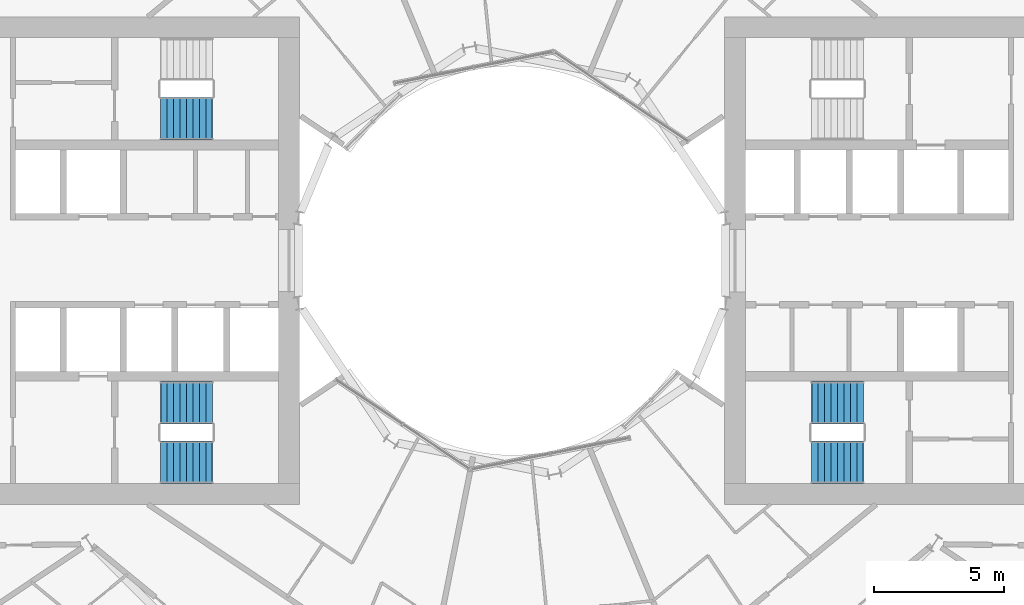
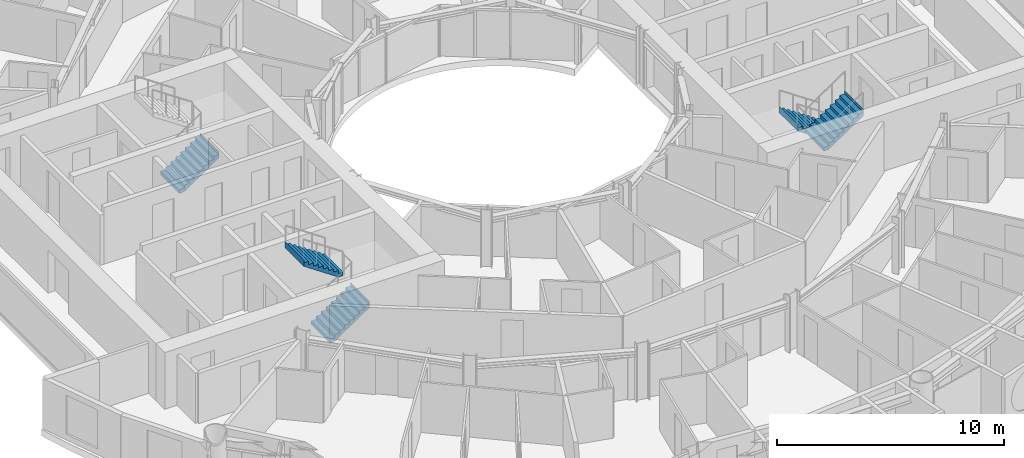
# One storey, part 23 of 26: 5 stair flights, 3 elements without a shape of their own.
"""IFC4 building model written with IfcOpenShell, lengths in metres."""

import ifcopenshell
import ifcopenshell.guid

model = None  # the IFC model being written
_history = None  # IfcOwnerHistory: only IFC2X3 demands one
_inside = {}  # id of a spatial element -> (the spatial element, [elements in it])
_under = {}  # id of a project, library or spatial element -> (it, [spatial elements below it])
_declared = {}  # id of a project -> (the project, [libraries it declares])
_typed = {}  # id of a type object -> (the type object, [elements of that type])
_made_of = {}  # id of a material, layer set ... -> (it, [elements and type objects made of it])


def new_model(schema):
    """Start an empty IFC model of exactly this schema.

    Asked for "IFC4X3", IfcOpenShell would pick the latest addendum, in which some entities
    have other attributes; the version numbers below select the first issue.
    IFC2X3 requires an IfcOwnerHistory on every rooted entity: one is made here for all.
    """
    global model, _history
    if schema == "IFC4X3":
        model = ifcopenshell.file(schema_version=(4, 3, 0, 0))
    else:
        model = ifcopenshell.file(schema=schema)
    _inside.clear()
    _under.clear()
    _declared.clear()
    _typed.clear()
    _made_of.clear()
    _history = None
    if model.schema == "IFC2X3":
        org = make("IfcOrganization", Name="unknown")
        user = make(
            "IfcPersonAndOrganization",
            ThePerson=make("IfcPerson", FamilyName="unknown"),
            TheOrganization=org,
        )
        app = make(
            "IfcApplication",
            ApplicationDeveloper=org,
            Version="unknown",
            ApplicationFullName="unknown",
            ApplicationIdentifier="unknown",
        )
        _history = make(
            "IfcOwnerHistory",
            OwningUser=user,
            OwningApplication=app,
            ChangeAction="ADDED",
            CreationDate=0,
        )
    return model


def make(cls, **values):
    """One entity of the class cls with the attributes given. An attribute that is None is left unset."""
    return model.create_entity(
        cls, **{name: value for name, value in values.items() if value is not None}
    )


def rooted(cls, **values):
    """An entity with a GlobalId (a new one), such as an element, a storey or a relation."""
    return make(cls, GlobalId=ifcopenshell.guid.new(), OwnerHistory=_history, **values)


def si_unit(unit_type, name, prefix=None):
    """IfcSIUnit, for example si_unit("LENGTHUNIT", "METRE", prefix="MILLI")."""
    return make("IfcSIUnit", UnitType=unit_type, Prefix=prefix, Name=name)


def assignment(units):
    """IfcUnitAssignment: the units of a project."""
    return None if units is None else make("IfcUnitAssignment", Units=units)


def point(xyz):
    """IfcCartesianPoint."""
    return None if xyz is None else make("IfcCartesianPoint", Coordinates=xyz)


def direction(xyz):
    """IfcDirection."""
    return None if xyz is None else make("IfcDirection", DirectionRatios=xyz)


def frame(location, z_axis=None, x_axis=None):
    """IfcAxis2Placement3D, a coordinate frame: its origin and axes. An axis left out is left unset."""
    return make(
        "IfcAxis2Placement3D",
        Location=point(location),
        Axis=direction(z_axis),
        RefDirection=direction(x_axis),
    )


def origin():
    """The frame at (0, 0, 0) with its axes left unset."""
    return frame((0.0, 0.0, 0.0))


def place(relative_to, where):
    """IfcLocalPlacement: puts the frame where relative to a parent placement (None: the world)."""
    return make(
        "IfcLocalPlacement", PlacementRelTo=relative_to, RelativePlacement=where
    )


def context(
    kind, dimensions, precision=None, world=None, true_north=None, identifier=None
):
    """IfcGeometricRepresentationContext, for example the 3D "Model" context."""
    return make(
        "IfcGeometricRepresentationContext",
        ContextIdentifier=identifier,
        ContextType=kind,
        CoordinateSpaceDimension=dimensions,
        Precision=precision,
        WorldCoordinateSystem=world,
        TrueNorth=true_north,
    )


def subcontext(parent, identifier, kind, view, scale=None):
    """IfcGeometricRepresentationSubContext, for example "Body" below "Model"."""
    return make(
        "IfcGeometricRepresentationSubContext",
        ContextIdentifier=identifier,
        ContextType=kind,
        ParentContext=parent,
        TargetScale=scale,
        TargetView=view,
    )


def project(units=None, contexts=None):
    """IfcProject with its units and contexts."""
    return rooted(
        "IfcProject",
        Name="project",
        RepresentationContexts=contexts,
        UnitsInContext=assignment(units),
    )


def spatial(cls, under=None, at=None, **own):
    """A site, building, storey or space (cls), placed at a placement, below another one or the project."""
    s = rooted(cls, ObjectPlacement=at, **own)
    if under is not None:
        _under.setdefault(under.id(), (under, []))[1].append(s)
    return s


def point_list(points):
    """IfcCartesianPointList2D or 3D."""
    cls = (
        "IfcCartesianPointList2D" if len(points[0]) == 2 else "IfcCartesianPointList3D"
    )
    return make(cls, CoordList=points)


def triangles(points, corners, closed=None, point_numbers=None):
    """IfcTriangulatedFaceSet: each triangle names its three corners, points numbered from 1."""
    return make(
        "IfcTriangulatedFaceSet",
        Coordinates=point_list(points),
        Closed=closed,
        CoordIndex=corners,
        PnIndex=point_numbers,
    )


def shape(context_of_items, identifier, shape_type, items):
    """IfcShapeRepresentation: the items that make up one representation, for example the "Body"."""
    return make(
        "IfcShapeRepresentation",
        ContextOfItems=context_of_items,
        RepresentationIdentifier=identifier,
        RepresentationType=shape_type,
        Items=items,
    )


def material(Name=None, Category=None):
    """IfcMaterial."""
    return make("IfcMaterial", Name=Name, Category=Category)


def made_of(thing, what):
    """Note that an element or type object is made of a material, layer set ...; save() writes the relation."""
    if what is not None:
        _made_of.setdefault(what.id(), (what, []))[1].append(thing)
    return thing


def type_object(cls, material=None, **own):
    """A type object (cls), such as IfcWallType, which elements share."""
    return made_of(rooted(cls, **own), material)


def element(
    cls,
    number,
    at=None,
    inside=None,
    cuts=None,
    type_object=None,
    material=None,
    context=None,
    identifier="Body",
    shape_type=None,
    held_by="IfcProductDefinitionShape",
    body=None,
    shapes=None,
    **own,
):
    """One element of the class cls, such as IfcWall. Its Tag is "e" and its number.

    at: its placement. inside: the storey or other place that contains it. cuts: it is an
    opening in that element (IfcRelVoidsElement). A single representation is given by context,
    identifier, shape_type and body (its items); several are given by shapes. held_by: the class
    of the entity that holds the representations. save() writes the other relations.
    """
    e = rooted(cls, Tag="e%d" % number, ObjectPlacement=at, **own)
    if body is not None:
        shapes = [shape(context, identifier, shape_type, body)]
    if shapes is not None:
        e.Representation = make(held_by, Representations=shapes)
    if inside is not None:
        _inside.setdefault(inside.id(), (inside, []))[1].append(e)
    if cuts is not None:
        rooted(
            "IfcRelVoidsElement", RelatingBuildingElement=cuts, RelatedOpeningElement=e
        )
    if type_object is not None:
        _typed.setdefault(type_object.id(), (type_object, []))[1].append(e)
    return made_of(e, material)


def aggregate(whole, parts):
    """IfcRelAggregates: a whole, such as a stair, and the parts it consists of."""
    return rooted("IfcRelAggregates", RelatingObject=whole, RelatedObjects=parts)


def save(model, path):
    """Write the relations noted so far, then the file.

    IfcRelAggregates (storeys below a building ...), IfcRelContainedInSpatialStructure (elements
    in a storey), IfcRelDefinesByType, IfcRelAssociatesMaterial and IfcRelDeclares: one each for
    every whole, place, type object, material and project.
    """
    for whole, parts in _under.values():
        aggregate(whole, parts)
    for where, things in _inside.values():
        rooted(
            "IfcRelContainedInSpatialStructure",
            RelatedElements=things,
            RelatingStructure=where,
        )
    for kind, things in _typed.values():
        rooted("IfcRelDefinesByType", RelatedObjects=things, RelatingType=kind)
    for what, things in _made_of.values():
        rooted("IfcRelAssociatesMaterial", RelatedObjects=things, RelatingMaterial=what)
    for by, libraries in _declared.values():
        rooted("IfcRelDeclares", RelatingContext=by, RelatedDefinitions=libraries)
    model.write(path)


model = new_model("IFC4")

# Units and contexts
model_context = context("Model", 3, precision=1e-05, world=origin(), true_north=direction((0.0, 1.0)))
body_context = subcontext(model_context, "Body", "Model", "MODEL_VIEW")
ifc_project = project(units=[si_unit("LENGTHUNIT", "METRE"), si_unit("AREAUNIT", "SQUARE_METRE"), si_unit("VOLUMEUNIT", "CUBIC_METRE"), si_unit("PLANEANGLEUNIT", "RADIAN"), si_unit("MASSUNIT", "GRAM", prefix="KILO")], contexts=[model_context])

# Site, building, storey
site_placement = place(None, origin())
site = spatial("IfcSite", under=ifc_project, at=site_placement, CompositionType="ELEMENT")
building_placement = place(site_placement, origin())
building = spatial("IfcBuilding", under=site, at=building_placement, Name="Maasbend Ring Residences", CompositionType="ELEMENT")
storey_placement = place(building_placement, frame((0.0, 0.0, 35.0)))
storey = spatial("IfcBuildingStorey", under=building, at=storey_placement, Name="L09", CompositionType="ELEMENT", Elevation=35.0)

# Stair, stair flights
ifc_material_1 = material(Name="Concrete C40/50", Category="concrete")
stair_type = type_object("IfcStairType", Name="CORE STAIR 18 RISERS", PredefinedType="HALF_TURN_STAIR", material=ifc_material_1)
stair_1_placement = place(storey_placement, origin())
stair_1 = element("IfcStair", 1, at=stair_1_placement, inside=storey, type_object=stair_type, Name="L09 Exit stair ST-E2", PredefinedType="HALF_TURN_STAIR")
ifc_material_2 = material(Name="Concrete C40/50", Category="concrete")
stair_flight_type = type_object("IfcStairFlightType", Name="CORE STAIR FLIGHT 1650", PredefinedType="STRAIGHT", material=ifc_material_2)
stair_flight_1_placement = place(storey_placement, frame((13.550048828125, -5.47509765625, 0.0), z_axis=(0.0, 0.0, 1.0), x_axis=(-1.0, 0.0, 0.0)))
stair_flight_1 = element("IfcStairFlight", 2, at=stair_flight_1_placement, type_object=stair_flight_type, Name="ST-E2 flight 1", NumberOfRisers=9, NumberOfTreads=8, PredefinedType="STRAIGHT", RiserHeight=0.169444444, TreadLength=0.25, context=body_context, shape_type="Tessellation", body=[
    triangles([(0.24072265625, 0.824951171875, -0.02001953125), (2.0029296875, 0.824951171875, 1.174560546875), (2.0029296875, 0.824951171875, 1.52490234375), (1.989990234375, 0.824951171875, 1.35546875), (1.75, 0.824951171875, 1.35546875), (1.75, 0.824951171875, 1.18603515625), (1.5, 0.824951171875, 1.18603515625), (1.5, 0.824951171875, 1.0166015625), (1.25, 0.824951171875, 1.0166015625), (1.25, 0.824951171875, 0.84716796875), (1.0, 0.824951171875, 0.84716796875), (1.0, 0.824951171875, 0.677734375), (0.75, 0.824951171875, 0.677734375), (0.75, 0.824951171875, 0.50830078125), (0.5, 0.824951171875, 0.50830078125), (0.5, 0.824951171875, 0.3388671875), (0.25, 0.824951171875, 0.3388671875), (0.25, 0.824951171875, 0.16943359375), (0.0, 0.824951171875, 0.16943359375), (0.0, 0.824951171875, 0.0), (-0.0029296875, 0.824951171875, 0.0), (-0.0029296875, 0.824951171875, -0.02001953125), (0.24072265625, 0.27490234375, -0.02001953125), (2.0029296875, 0.27490234375, 1.174560546875), (2.0029296875, 0.27490234375, 1.52490234375), (1.989990234375, 0.27490234375, 1.35546875), (1.75, 0.27490234375, 1.35546875), (1.75, 0.27490234375, 1.18603515625), (1.5, 0.27490234375, 1.18603515625), (1.5, 0.27490234375, 1.0166015625), (1.25, 0.27490234375, 1.0166015625), (1.25, 0.27490234375, 0.84716796875), (1.0, 0.27490234375, 0.84716796875), (1.0, 0.27490234375, 0.677734375), (0.75, 0.27490234375, 0.677734375), (0.75, 0.27490234375, 0.50830078125), (0.5, 0.27490234375, 0.50830078125), (0.5, 0.27490234375, 0.3388671875), (0.25, 0.27490234375, 0.3388671875), (0.25, 0.27490234375, 0.16943359375), (0.0, 0.27490234375, 0.16943359375), (0.0, 0.27490234375, 0.0), (-0.0029296875, 0.27490234375, 0.0), (-0.0029296875, 0.27490234375, -0.02001953125), (0.24072265625, -0.27490234375, -0.02001953125), (2.0029296875, -0.27490234375, 1.174560546875), (2.0029296875, -0.27490234375, 1.52490234375), (1.989990234375, -0.27490234375, 1.35546875), (1.75, -0.27490234375, 1.35546875), (1.75, -0.27490234375, 1.18603515625), (1.5, -0.27490234375, 1.18603515625), (1.5, -0.27490234375, 1.0166015625), (1.25, -0.27490234375, 1.0166015625), (1.25, -0.27490234375, 0.84716796875), (1.0, -0.27490234375, 0.84716796875), (1.0, -0.27490234375, 0.677734375), (0.75, -0.27490234375, 0.677734375), (0.75, -0.27490234375, 0.50830078125), (0.5, -0.27490234375, 0.50830078125), (0.5, -0.27490234375, 0.3388671875), (0.25, -0.27490234375, 0.3388671875), (0.25, -0.27490234375, 0.16943359375), (0.0, -0.27490234375, 0.16943359375), (0.0, -0.27490234375, 0.0), (-0.0029296875, -0.27490234375, 0.0), (-0.0029296875, -0.27490234375, -0.02001953125), (0.24072265625, -0.824951171875, -0.02001953125), (2.0029296875, -0.824951171875, 1.174560546875), (2.0029296875, -0.824951171875, 1.52490234375), (1.989990234375, -0.824951171875, 1.35546875), (1.75, -0.824951171875, 1.35546875), (1.75, -0.824951171875, 1.18603515625), (1.5, -0.824951171875, 1.18603515625), (1.5, -0.824951171875, 1.0166015625), (1.25, -0.824951171875, 1.0166015625), (1.25, -0.824951171875, 0.84716796875), (1.0, -0.824951171875, 0.84716796875), (1.0, -0.824951171875, 0.677734375), (0.75, -0.824951171875, 0.677734375), (0.75, -0.824951171875, 0.50830078125), (0.5, -0.824951171875, 0.50830078125), (0.5, -0.824951171875, 0.3388671875), (0.25, -0.824951171875, 0.3388671875), (0.25, -0.824951171875, 0.16943359375), (0.0, -0.824951171875, 0.16943359375), (0.0, -0.824951171875, 0.0), (-0.0029296875, -0.824951171875, 0.0), (-0.0029296875, -0.824951171875, -0.02001953125)], [[1, 2, 24], [1, 24, 23], [23, 24, 46], [23, 46, 45], [45, 46, 68], [45, 68, 67], [2, 3, 25], [2, 25, 24], [24, 25, 47], [24, 47, 46], [46, 47, 69], [46, 69, 68], [3, 4, 26], [3, 26, 25], [25, 26, 48], [25, 48, 47], [47, 48, 70], [47, 70, 69], [4, 5, 27], [4, 27, 26], [26, 27, 49], [26, 49, 48], [48, 49, 71], [48, 71, 70], [5, 6, 28], [5, 28, 27], [27, 28, 50], [27, 50, 49], [49, 50, 72], [49, 72, 71], [6, 7, 29], [6, 29, 28], [28, 29, 51], [28, 51, 50], [50, 51, 73], [50, 73, 72], [7, 8, 30], [7, 30, 29], [29, 30, 52], [29, 52, 51], [51, 52, 74], [51, 74, 73], [8, 9, 31], [8, 31, 30], [30, 31, 53], [30, 53, 52], [52, 53, 75], [52, 75, 74], [9, 10, 32], [9, 32, 31], [31, 32, 54], [31, 54, 53], [53, 54, 76], [53, 76, 75], [10, 11, 33], [10, 33, 32], [32, 33, 55], [32, 55, 54], [54, 55, 77], [54, 77, 76], [11, 12, 34], [11, 34, 33], [33, 34, 56], [33, 56, 55], [55, 56, 78], [55, 78, 77], [12, 13, 35], [12, 35, 34], [34, 35, 57], [34, 57, 56], [56, 57, 79], [56, 79, 78], [13, 14, 36], [13, 36, 35], [35, 36, 58], [35, 58, 57], [57, 58, 80], [57, 80, 79], [14, 15, 37], [14, 37, 36], [36, 37, 59], [36, 59, 58], [58, 59, 81], [58, 81, 80], [15, 16, 38], [15, 38, 37], [37, 38, 60], [37, 60, 59], [59, 60, 82], [59, 82, 81], [16, 17, 39], [16, 39, 38], [38, 39, 61], [38, 61, 60], [60, 61, 83], [60, 83, 82], [17, 18, 40], [17, 40, 39], [39, 40, 62], [39, 62, 61], [61, 62, 84], [61, 84, 83], [18, 19, 41], [18, 41, 40], [40, 41, 63], [40, 63, 62], [62, 63, 85], [62, 85, 84], [19, 20, 42], [19, 42, 41], [41, 42, 64], [41, 64, 63], [63, 64, 86], [63, 86, 85], [20, 21, 43], [20, 43, 42], [42, 43, 65], [42, 65, 64], [64, 65, 87], [64, 87, 86], [21, 22, 44], [21, 44, 43], [43, 44, 66], [43, 66, 65], [65, 66, 88], [65, 88, 87], [22, 1, 23], [22, 23, 44], [44, 23, 45], [44, 45, 66], [66, 45, 67], [66, 67, 88], [22, 2, 1], [2, 4, 3], [2, 5, 4], [2, 6, 5], [22, 6, 2], [6, 8, 7], [22, 8, 6], [8, 10, 9], [22, 10, 8], [10, 12, 11], [22, 12, 10], [12, 14, 13], [22, 14, 12], [14, 16, 15], [22, 16, 14], [16, 18, 17], [22, 18, 16], [18, 20, 19], [22, 20, 18], [20, 22, 21], [88, 67, 68], [68, 69, 70], [68, 70, 71], [68, 71, 72], [88, 68, 72], [72, 73, 74], [88, 72, 74], [74, 75, 76], [88, 74, 76], [76, 77, 78], [88, 76, 78], [78, 79, 80], [88, 78, 80], [80, 81, 82], [88, 80, 82], [82, 83, 84], [88, 82, 84], [84, 85, 86], [88, 84, 86], [86, 87, 88]], closed=True),
])
stair_flight_2_placement = place(storey_placement, frame((11.550048828125, -7.77490234375, 1.52490234375), z_axis=(0.0, 0.0, 1.0), x_axis=(1.0, 0.0, 0.0)))
stair_flight_2 = element("IfcStairFlight", 3, at=stair_flight_2_placement, type_object=stair_flight_type, Name="ST-E2 flight 2", NumberOfRisers=9, NumberOfTreads=8, PredefinedType="STRAIGHT", RiserHeight=0.169444444, TreadLength=0.25, context=body_context, shape_type="Tessellation", body=[
    triangles([(0.24072265625, 0.824951171875, -0.02001953125), (2.0029296875, 0.824951171875, 1.174560546875), (2.0029296875, 0.824951171875, 1.52490234375), (1.989990234375, 0.824951171875, 1.35546875), (1.75, 0.824951171875, 1.35546875), (1.75, 0.824951171875, 1.18603515625), (1.5, 0.824951171875, 1.18603515625), (1.5, 0.824951171875, 1.0166015625), (1.25, 0.824951171875, 1.0166015625), (1.25, 0.824951171875, 0.84716796875), (1.0, 0.824951171875, 0.84716796875), (1.0, 0.824951171875, 0.677734375), (0.75, 0.824951171875, 0.677734375), (0.75, 0.824951171875, 0.50830078125), (0.5, 0.824951171875, 0.50830078125), (0.5, 0.824951171875, 0.3388671875), (0.25, 0.824951171875, 0.3388671875), (0.25, 0.824951171875, 0.16943359375), (0.0, 0.824951171875, 0.16943359375), (0.0, 0.824951171875, 0.0), (-0.0029296875, 0.824951171875, 0.0), (-0.0029296875, 0.824951171875, -0.02001953125), (0.24072265625, 0.27490234375, -0.02001953125), (2.0029296875, 0.27490234375, 1.174560546875), (2.0029296875, 0.27490234375, 1.52490234375), (1.989990234375, 0.27490234375, 1.35546875), (1.75, 0.27490234375, 1.35546875), (1.75, 0.27490234375, 1.18603515625), (1.5, 0.27490234375, 1.18603515625), (1.5, 0.27490234375, 1.0166015625), (1.25, 0.27490234375, 1.0166015625), (1.25, 0.27490234375, 0.84716796875), (1.0, 0.27490234375, 0.84716796875), (1.0, 0.27490234375, 0.677734375), (0.75, 0.27490234375, 0.677734375), (0.75, 0.27490234375, 0.50830078125), (0.5, 0.27490234375, 0.50830078125), (0.5, 0.27490234375, 0.3388671875), (0.25, 0.27490234375, 0.3388671875), (0.25, 0.27490234375, 0.16943359375), (0.0, 0.27490234375, 0.16943359375), (0.0, 0.27490234375, 0.0), (-0.0029296875, 0.27490234375, 0.0), (-0.0029296875, 0.27490234375, -0.02001953125), (0.24072265625, -0.27490234375, -0.02001953125), (2.0029296875, -0.27490234375, 1.174560546875), (2.0029296875, -0.27490234375, 1.52490234375), (1.989990234375, -0.27490234375, 1.35546875), (1.75, -0.27490234375, 1.35546875), (1.75, -0.27490234375, 1.18603515625), (1.5, -0.27490234375, 1.18603515625), (1.5, -0.27490234375, 1.0166015625), (1.25, -0.27490234375, 1.0166015625), (1.25, -0.27490234375, 0.84716796875), (1.0, -0.27490234375, 0.84716796875), (1.0, -0.27490234375, 0.677734375), (0.75, -0.27490234375, 0.677734375), (0.75, -0.27490234375, 0.50830078125), (0.5, -0.27490234375, 0.50830078125), (0.5, -0.27490234375, 0.3388671875), (0.25, -0.27490234375, 0.3388671875), (0.25, -0.27490234375, 0.16943359375), (0.0, -0.27490234375, 0.16943359375), (0.0, -0.27490234375, 0.0), (-0.0029296875, -0.27490234375, 0.0), (-0.0029296875, -0.27490234375, -0.02001953125), (0.24072265625, -0.824951171875, -0.02001953125), (2.0029296875, -0.824951171875, 1.174560546875), (2.0029296875, -0.824951171875, 1.52490234375), (1.989990234375, -0.824951171875, 1.35546875), (1.75, -0.824951171875, 1.35546875), (1.75, -0.824951171875, 1.18603515625), (1.5, -0.824951171875, 1.18603515625), (1.5, -0.824951171875, 1.0166015625), (1.25, -0.824951171875, 1.0166015625), (1.25, -0.824951171875, 0.84716796875), (1.0, -0.824951171875, 0.84716796875), (1.0, -0.824951171875, 0.677734375), (0.75, -0.824951171875, 0.677734375), (0.75, -0.824951171875, 0.50830078125), (0.5, -0.824951171875, 0.50830078125), (0.5, -0.824951171875, 0.3388671875), (0.25, -0.824951171875, 0.3388671875), (0.25, -0.824951171875, 0.16943359375), (0.0, -0.824951171875, 0.16943359375), (0.0, -0.824951171875, 0.0), (-0.0029296875, -0.824951171875, 0.0), (-0.0029296875, -0.824951171875, -0.02001953125)], [[1, 2, 24], [1, 24, 23], [23, 24, 46], [23, 46, 45], [45, 46, 68], [45, 68, 67], [2, 3, 25], [2, 25, 24], [24, 25, 47], [24, 47, 46], [46, 47, 69], [46, 69, 68], [3, 4, 26], [3, 26, 25], [25, 26, 48], [25, 48, 47], [47, 48, 70], [47, 70, 69], [4, 5, 27], [4, 27, 26], [26, 27, 49], [26, 49, 48], [48, 49, 71], [48, 71, 70], [5, 6, 28], [5, 28, 27], [27, 28, 50], [27, 50, 49], [49, 50, 72], [49, 72, 71], [6, 7, 29], [6, 29, 28], [28, 29, 51], [28, 51, 50], [50, 51, 73], [50, 73, 72], [7, 8, 30], [7, 30, 29], [29, 30, 52], [29, 52, 51], [51, 52, 74], [51, 74, 73], [8, 9, 31], [8, 31, 30], [30, 31, 53], [30, 53, 52], [52, 53, 75], [52, 75, 74], [9, 10, 32], [9, 32, 31], [31, 32, 54], [31, 54, 53], [53, 54, 76], [53, 76, 75], [10, 11, 33], [10, 33, 32], [32, 33, 55], [32, 55, 54], [54, 55, 77], [54, 77, 76], [11, 12, 34], [11, 34, 33], [33, 34, 56], [33, 56, 55], [55, 56, 78], [55, 78, 77], [12, 13, 35], [12, 35, 34], [34, 35, 57], [34, 57, 56], [56, 57, 79], [56, 79, 78], [13, 14, 36], [13, 36, 35], [35, 36, 58], [35, 58, 57], [57, 58, 80], [57, 80, 79], [14, 15, 37], [14, 37, 36], [36, 37, 59], [36, 59, 58], [58, 59, 81], [58, 81, 80], [15, 16, 38], [15, 38, 37], [37, 38, 60], [37, 60, 59], [59, 60, 82], [59, 82, 81], [16, 17, 39], [16, 39, 38], [38, 39, 61], [38, 61, 60], [60, 61, 83], [60, 83, 82], [17, 18, 40], [17, 40, 39], [39, 40, 62], [39, 62, 61], [61, 62, 84], [61, 84, 83], [18, 19, 41], [18, 41, 40], [40, 41, 63], [40, 63, 62], [62, 63, 85], [62, 85, 84], [19, 20, 42], [19, 42, 41], [41, 42, 64], [41, 64, 63], [63, 64, 86], [63, 86, 85], [20, 21, 43], [20, 43, 42], [42, 43, 65], [42, 65, 64], [64, 65, 87], [64, 87, 86], [21, 22, 44], [21, 44, 43], [43, 44, 66], [43, 66, 65], [65, 66, 88], [65, 88, 87], [22, 1, 23], [22, 23, 44], [44, 23, 45], [44, 45, 66], [66, 45, 67], [66, 67, 88], [22, 2, 1], [2, 4, 3], [2, 5, 4], [2, 6, 5], [22, 6, 2], [6, 8, 7], [22, 8, 6], [8, 10, 9], [22, 10, 8], [10, 12, 11], [22, 12, 10], [12, 14, 13], [22, 14, 12], [14, 16, 15], [22, 16, 14], [16, 18, 17], [22, 18, 16], [18, 20, 19], [22, 20, 18], [20, 22, 21], [88, 67, 68], [68, 69, 70], [68, 70, 71], [68, 71, 72], [88, 68, 72], [72, 73, 74], [88, 72, 74], [74, 75, 76], [88, 74, 76], [76, 77, 78], [88, 76, 78], [78, 79, 80], [88, 78, 80], [80, 81, 82], [88, 80, 82], [82, 83, 84], [88, 82, 84], [84, 85, 86], [88, 84, 86], [86, 87, 88]], closed=True),
])
aggregate(stair_1, [stair_flight_1, stair_flight_2])

stair_2_placement = place(storey_placement, origin())
stair_2 = element("IfcStair", 4, at=stair_2_placement, inside=storey, type_object=stair_type, Name="L09 Exit stair ST-W1", PredefinedType="HALF_TURN_STAIR")
stair_flight_3_placement = place(storey_placement, frame((-13.550048828125, -7.77490234375, 0.0), z_axis=(0.0, 0.0, 1.0), x_axis=(1.0, 0.0, 0.0)))
stair_flight_3 = element("IfcStairFlight", 5, at=stair_flight_3_placement, type_object=stair_flight_type, Name="ST-W1 flight 1", NumberOfRisers=9, NumberOfTreads=8, PredefinedType="STRAIGHT", RiserHeight=0.169444444, TreadLength=0.25, context=body_context, shape_type="Tessellation", body=[
    triangles([(0.24072265625, 0.824951171875, -0.02001953125), (2.0029296875, 0.824951171875, 1.174560546875), (2.0029296875, 0.824951171875, 1.52490234375), (1.989990234375, 0.824951171875, 1.35546875), (1.75, 0.824951171875, 1.35546875), (1.75, 0.824951171875, 1.18603515625), (1.5, 0.824951171875, 1.18603515625), (1.5, 0.824951171875, 1.0166015625), (1.25, 0.824951171875, 1.0166015625), (1.25, 0.824951171875, 0.84716796875), (1.0, 0.824951171875, 0.84716796875), (1.0, 0.824951171875, 0.677734375), (0.75, 0.824951171875, 0.677734375), (0.75, 0.824951171875, 0.50830078125), (0.5, 0.824951171875, 0.50830078125), (0.5, 0.824951171875, 0.3388671875), (0.25, 0.824951171875, 0.3388671875), (0.25, 0.824951171875, 0.16943359375), (0.0, 0.824951171875, 0.16943359375), (0.0, 0.824951171875, 0.0), (-0.0029296875, 0.824951171875, 0.0), (-0.0029296875, 0.824951171875, -0.02001953125), (0.24072265625, 0.27490234375, -0.02001953125), (2.0029296875, 0.27490234375, 1.174560546875), (2.0029296875, 0.27490234375, 1.52490234375), (1.989990234375, 0.27490234375, 1.35546875), (1.75, 0.27490234375, 1.35546875), (1.75, 0.27490234375, 1.18603515625), (1.5, 0.27490234375, 1.18603515625), (1.5, 0.27490234375, 1.0166015625), (1.25, 0.27490234375, 1.0166015625), (1.25, 0.27490234375, 0.84716796875), (1.0, 0.27490234375, 0.84716796875), (1.0, 0.27490234375, 0.677734375), (0.75, 0.27490234375, 0.677734375), (0.75, 0.27490234375, 0.50830078125), (0.5, 0.27490234375, 0.50830078125), (0.5, 0.27490234375, 0.3388671875), (0.25, 0.27490234375, 0.3388671875), (0.25, 0.27490234375, 0.16943359375), (0.0, 0.27490234375, 0.16943359375), (0.0, 0.27490234375, 0.0), (-0.0029296875, 0.27490234375, 0.0), (-0.0029296875, 0.27490234375, -0.02001953125), (0.24072265625, -0.27490234375, -0.02001953125), (2.0029296875, -0.27490234375, 1.174560546875), (2.0029296875, -0.27490234375, 1.52490234375), (1.989990234375, -0.27490234375, 1.35546875), (1.75, -0.27490234375, 1.35546875), (1.75, -0.27490234375, 1.18603515625), (1.5, -0.27490234375, 1.18603515625), (1.5, -0.27490234375, 1.0166015625), (1.25, -0.27490234375, 1.0166015625), (1.25, -0.27490234375, 0.84716796875), (1.0, -0.27490234375, 0.84716796875), (1.0, -0.27490234375, 0.677734375), (0.75, -0.27490234375, 0.677734375), (0.75, -0.27490234375, 0.50830078125), (0.5, -0.27490234375, 0.50830078125), (0.5, -0.27490234375, 0.3388671875), (0.25, -0.27490234375, 0.3388671875), (0.25, -0.27490234375, 0.16943359375), (0.0, -0.27490234375, 0.16943359375), (0.0, -0.27490234375, 0.0), (-0.0029296875, -0.27490234375, 0.0), (-0.0029296875, -0.27490234375, -0.02001953125), (0.24072265625, -0.824951171875, -0.02001953125), (2.0029296875, -0.824951171875, 1.174560546875), (2.0029296875, -0.824951171875, 1.52490234375), (1.989990234375, -0.824951171875, 1.35546875), (1.75, -0.824951171875, 1.35546875), (1.75, -0.824951171875, 1.18603515625), (1.5, -0.824951171875, 1.18603515625), (1.5, -0.824951171875, 1.0166015625), (1.25, -0.824951171875, 1.0166015625), (1.25, -0.824951171875, 0.84716796875), (1.0, -0.824951171875, 0.84716796875), (1.0, -0.824951171875, 0.677734375), (0.75, -0.824951171875, 0.677734375), (0.75, -0.824951171875, 0.50830078125), (0.5, -0.824951171875, 0.50830078125), (0.5, -0.824951171875, 0.3388671875), (0.25, -0.824951171875, 0.3388671875), (0.25, -0.824951171875, 0.16943359375), (0.0, -0.824951171875, 0.16943359375), (0.0, -0.824951171875, 0.0), (-0.0029296875, -0.824951171875, 0.0), (-0.0029296875, -0.824951171875, -0.02001953125)], [[1, 2, 24], [1, 24, 23], [23, 24, 46], [23, 46, 45], [45, 46, 68], [45, 68, 67], [2, 3, 25], [2, 25, 24], [24, 25, 47], [24, 47, 46], [46, 47, 69], [46, 69, 68], [3, 4, 26], [3, 26, 25], [25, 26, 48], [25, 48, 47], [47, 48, 70], [47, 70, 69], [4, 5, 27], [4, 27, 26], [26, 27, 49], [26, 49, 48], [48, 49, 71], [48, 71, 70], [5, 6, 28], [5, 28, 27], [27, 28, 50], [27, 50, 49], [49, 50, 72], [49, 72, 71], [6, 7, 29], [6, 29, 28], [28, 29, 51], [28, 51, 50], [50, 51, 73], [50, 73, 72], [7, 8, 30], [7, 30, 29], [29, 30, 52], [29, 52, 51], [51, 52, 74], [51, 74, 73], [8, 9, 31], [8, 31, 30], [30, 31, 53], [30, 53, 52], [52, 53, 75], [52, 75, 74], [9, 10, 32], [9, 32, 31], [31, 32, 54], [31, 54, 53], [53, 54, 76], [53, 76, 75], [10, 11, 33], [10, 33, 32], [32, 33, 55], [32, 55, 54], [54, 55, 77], [54, 77, 76], [11, 12, 34], [11, 34, 33], [33, 34, 56], [33, 56, 55], [55, 56, 78], [55, 78, 77], [12, 13, 35], [12, 35, 34], [34, 35, 57], [34, 57, 56], [56, 57, 79], [56, 79, 78], [13, 14, 36], [13, 36, 35], [35, 36, 58], [35, 58, 57], [57, 58, 80], [57, 80, 79], [14, 15, 37], [14, 37, 36], [36, 37, 59], [36, 59, 58], [58, 59, 81], [58, 81, 80], [15, 16, 38], [15, 38, 37], [37, 38, 60], [37, 60, 59], [59, 60, 82], [59, 82, 81], [16, 17, 39], [16, 39, 38], [38, 39, 61], [38, 61, 60], [60, 61, 83], [60, 83, 82], [17, 18, 40], [17, 40, 39], [39, 40, 62], [39, 62, 61], [61, 62, 84], [61, 84, 83], [18, 19, 41], [18, 41, 40], [40, 41, 63], [40, 63, 62], [62, 63, 85], [62, 85, 84], [19, 20, 42], [19, 42, 41], [41, 42, 64], [41, 64, 63], [63, 64, 86], [63, 86, 85], [20, 21, 43], [20, 43, 42], [42, 43, 65], [42, 65, 64], [64, 65, 87], [64, 87, 86], [21, 22, 44], [21, 44, 43], [43, 44, 66], [43, 66, 65], [65, 66, 88], [65, 88, 87], [22, 1, 23], [22, 23, 44], [44, 23, 45], [44, 45, 66], [66, 45, 67], [66, 67, 88], [22, 2, 1], [2, 4, 3], [2, 5, 4], [2, 6, 5], [22, 6, 2], [6, 8, 7], [22, 8, 6], [8, 10, 9], [22, 10, 8], [10, 12, 11], [22, 12, 10], [12, 14, 13], [22, 14, 12], [14, 16, 15], [22, 16, 14], [16, 18, 17], [22, 18, 16], [18, 20, 19], [22, 20, 18], [20, 22, 21], [88, 67, 68], [68, 69, 70], [68, 70, 71], [68, 71, 72], [88, 68, 72], [72, 73, 74], [88, 72, 74], [74, 75, 76], [88, 74, 76], [76, 77, 78], [88, 76, 78], [78, 79, 80], [88, 78, 80], [80, 81, 82], [88, 80, 82], [82, 83, 84], [88, 82, 84], [84, 85, 86], [88, 84, 86], [86, 87, 88]], closed=True),
])
stair_flight_4_placement = place(storey_placement, frame((-11.550048828125, -5.47509765625, 1.52490234375), z_axis=(0.0, 0.0, 1.0), x_axis=(-1.0, 0.0, 0.0)))
stair_flight_4 = element("IfcStairFlight", 6, at=stair_flight_4_placement, type_object=stair_flight_type, Name="ST-W1 flight 2", NumberOfRisers=9, NumberOfTreads=8, PredefinedType="STRAIGHT", RiserHeight=0.169444444, TreadLength=0.25, context=body_context, shape_type="Tessellation", body=[
    triangles([(0.24072265625, 0.824951171875, -0.02001953125), (2.0029296875, 0.824951171875, 1.174560546875), (2.0029296875, 0.824951171875, 1.52490234375), (1.989990234375, 0.824951171875, 1.35546875), (1.75, 0.824951171875, 1.35546875), (1.75, 0.824951171875, 1.18603515625), (1.5, 0.824951171875, 1.18603515625), (1.5, 0.824951171875, 1.0166015625), (1.25, 0.824951171875, 1.0166015625), (1.25, 0.824951171875, 0.84716796875), (1.0, 0.824951171875, 0.84716796875), (1.0, 0.824951171875, 0.677734375), (0.75, 0.824951171875, 0.677734375), (0.75, 0.824951171875, 0.50830078125), (0.5, 0.824951171875, 0.50830078125), (0.5, 0.824951171875, 0.3388671875), (0.25, 0.824951171875, 0.3388671875), (0.25, 0.824951171875, 0.16943359375), (0.0, 0.824951171875, 0.16943359375), (0.0, 0.824951171875, 0.0), (-0.0029296875, 0.824951171875, 0.0), (-0.0029296875, 0.824951171875, -0.02001953125), (0.24072265625, 0.27490234375, -0.02001953125), (2.0029296875, 0.27490234375, 1.174560546875), (2.0029296875, 0.27490234375, 1.52490234375), (1.989990234375, 0.27490234375, 1.35546875), (1.75, 0.27490234375, 1.35546875), (1.75, 0.27490234375, 1.18603515625), (1.5, 0.27490234375, 1.18603515625), (1.5, 0.27490234375, 1.0166015625), (1.25, 0.27490234375, 1.0166015625), (1.25, 0.27490234375, 0.84716796875), (1.0, 0.27490234375, 0.84716796875), (1.0, 0.27490234375, 0.677734375), (0.75, 0.27490234375, 0.677734375), (0.75, 0.27490234375, 0.50830078125), (0.5, 0.27490234375, 0.50830078125), (0.5, 0.27490234375, 0.3388671875), (0.25, 0.27490234375, 0.3388671875), (0.25, 0.27490234375, 0.16943359375), (0.0, 0.27490234375, 0.16943359375), (0.0, 0.27490234375, 0.0), (-0.0029296875, 0.27490234375, 0.0), (-0.0029296875, 0.27490234375, -0.02001953125), (0.24072265625, -0.27490234375, -0.02001953125), (2.0029296875, -0.27490234375, 1.174560546875), (2.0029296875, -0.27490234375, 1.52490234375), (1.989990234375, -0.27490234375, 1.35546875), (1.75, -0.27490234375, 1.35546875), (1.75, -0.27490234375, 1.18603515625), (1.5, -0.27490234375, 1.18603515625), (1.5, -0.27490234375, 1.0166015625), (1.25, -0.27490234375, 1.0166015625), (1.25, -0.27490234375, 0.84716796875), (1.0, -0.27490234375, 0.84716796875), (1.0, -0.27490234375, 0.677734375), (0.75, -0.27490234375, 0.677734375), (0.75, -0.27490234375, 0.50830078125), (0.5, -0.27490234375, 0.50830078125), (0.5, -0.27490234375, 0.3388671875), (0.25, -0.27490234375, 0.3388671875), (0.25, -0.27490234375, 0.16943359375), (0.0, -0.27490234375, 0.16943359375), (0.0, -0.27490234375, 0.0), (-0.0029296875, -0.27490234375, 0.0), (-0.0029296875, -0.27490234375, -0.02001953125), (0.24072265625, -0.824951171875, -0.02001953125), (2.0029296875, -0.824951171875, 1.174560546875), (2.0029296875, -0.824951171875, 1.52490234375), (1.989990234375, -0.824951171875, 1.35546875), (1.75, -0.824951171875, 1.35546875), (1.75, -0.824951171875, 1.18603515625), (1.5, -0.824951171875, 1.18603515625), (1.5, -0.824951171875, 1.0166015625), (1.25, -0.824951171875, 1.0166015625), (1.25, -0.824951171875, 0.84716796875), (1.0, -0.824951171875, 0.84716796875), (1.0, -0.824951171875, 0.677734375), (0.75, -0.824951171875, 0.677734375), (0.75, -0.824951171875, 0.50830078125), (0.5, -0.824951171875, 0.50830078125), (0.5, -0.824951171875, 0.3388671875), (0.25, -0.824951171875, 0.3388671875), (0.25, -0.824951171875, 0.16943359375), (0.0, -0.824951171875, 0.16943359375), (0.0, -0.824951171875, 0.0), (-0.0029296875, -0.824951171875, 0.0), (-0.0029296875, -0.824951171875, -0.02001953125)], [[1, 2, 24], [1, 24, 23], [23, 24, 46], [23, 46, 45], [45, 46, 68], [45, 68, 67], [2, 3, 25], [2, 25, 24], [24, 25, 47], [24, 47, 46], [46, 47, 69], [46, 69, 68], [3, 4, 26], [3, 26, 25], [25, 26, 48], [25, 48, 47], [47, 48, 70], [47, 70, 69], [4, 5, 27], [4, 27, 26], [26, 27, 49], [26, 49, 48], [48, 49, 71], [48, 71, 70], [5, 6, 28], [5, 28, 27], [27, 28, 50], [27, 50, 49], [49, 50, 72], [49, 72, 71], [6, 7, 29], [6, 29, 28], [28, 29, 51], [28, 51, 50], [50, 51, 73], [50, 73, 72], [7, 8, 30], [7, 30, 29], [29, 30, 52], [29, 52, 51], [51, 52, 74], [51, 74, 73], [8, 9, 31], [8, 31, 30], [30, 31, 53], [30, 53, 52], [52, 53, 75], [52, 75, 74], [9, 10, 32], [9, 32, 31], [31, 32, 54], [31, 54, 53], [53, 54, 76], [53, 76, 75], [10, 11, 33], [10, 33, 32], [32, 33, 55], [32, 55, 54], [54, 55, 77], [54, 77, 76], [11, 12, 34], [11, 34, 33], [33, 34, 56], [33, 56, 55], [55, 56, 78], [55, 78, 77], [12, 13, 35], [12, 35, 34], [34, 35, 57], [34, 57, 56], [56, 57, 79], [56, 79, 78], [13, 14, 36], [13, 36, 35], [35, 36, 58], [35, 58, 57], [57, 58, 80], [57, 80, 79], [14, 15, 37], [14, 37, 36], [36, 37, 59], [36, 59, 58], [58, 59, 81], [58, 81, 80], [15, 16, 38], [15, 38, 37], [37, 38, 60], [37, 60, 59], [59, 60, 82], [59, 82, 81], [16, 17, 39], [16, 39, 38], [38, 39, 61], [38, 61, 60], [60, 61, 83], [60, 83, 82], [17, 18, 40], [17, 40, 39], [39, 40, 62], [39, 62, 61], [61, 62, 84], [61, 84, 83], [18, 19, 41], [18, 41, 40], [40, 41, 63], [40, 63, 62], [62, 63, 85], [62, 85, 84], [19, 20, 42], [19, 42, 41], [41, 42, 64], [41, 64, 63], [63, 64, 86], [63, 86, 85], [20, 21, 43], [20, 43, 42], [42, 43, 65], [42, 65, 64], [64, 65, 87], [64, 87, 86], [21, 22, 44], [21, 44, 43], [43, 44, 66], [43, 66, 65], [65, 66, 88], [65, 88, 87], [22, 1, 23], [22, 23, 44], [44, 23, 45], [44, 45, 66], [66, 45, 67], [66, 67, 88], [22, 2, 1], [2, 4, 3], [2, 5, 4], [2, 6, 5], [22, 6, 2], [6, 8, 7], [22, 8, 6], [8, 10, 9], [22, 10, 8], [10, 12, 11], [22, 12, 10], [12, 14, 13], [22, 14, 12], [14, 16, 15], [22, 16, 14], [16, 18, 17], [22, 18, 16], [18, 20, 19], [22, 20, 18], [20, 22, 21], [88, 67, 68], [68, 69, 70], [68, 70, 71], [68, 71, 72], [88, 68, 72], [72, 73, 74], [88, 72, 74], [74, 75, 76], [88, 74, 76], [76, 77, 78], [88, 76, 78], [78, 79, 80], [88, 78, 80], [80, 81, 82], [88, 80, 82], [82, 83, 84], [88, 82, 84], [84, 85, 86], [88, 84, 86], [86, 87, 88]], closed=True),
])
aggregate(stair_2, [stair_flight_3, stair_flight_4])

# Stair, stair flight
stair_3_placement = place(storey_placement, origin())
stair_3 = element("IfcStair", 7, at=stair_3_placement, inside=storey, type_object=stair_type, Name="L09 Exit stair ST-W2", PredefinedType="HALF_TURN_STAIR")
stair_flight_5_placement = place(storey_placement, frame((-13.550048828125, 5.47509765625, 0.0), z_axis=(0.0, 0.0, 1.0), x_axis=(1.0, 0.0, 0.0)))
stair_flight_5 = element("IfcStairFlight", 8, at=stair_flight_5_placement, type_object=stair_flight_type, Name="ST-W2 flight 1", NumberOfRisers=9, NumberOfTreads=8, PredefinedType="STRAIGHT", RiserHeight=0.169444444, TreadLength=0.25, context=body_context, shape_type="Tessellation", body=[
    triangles([(0.24072265625, 0.824951171875, -0.02001953125), (2.0029296875, 0.824951171875, 1.174560546875), (2.0029296875, 0.824951171875, 1.52490234375), (1.989990234375, 0.824951171875, 1.35546875), (1.75, 0.824951171875, 1.35546875), (1.75, 0.824951171875, 1.18603515625), (1.5, 0.824951171875, 1.18603515625), (1.5, 0.824951171875, 1.0166015625), (1.25, 0.824951171875, 1.0166015625), (1.25, 0.824951171875, 0.84716796875), (1.0, 0.824951171875, 0.84716796875), (1.0, 0.824951171875, 0.677734375), (0.75, 0.824951171875, 0.677734375), (0.75, 0.824951171875, 0.50830078125), (0.5, 0.824951171875, 0.50830078125), (0.5, 0.824951171875, 0.3388671875), (0.25, 0.824951171875, 0.3388671875), (0.25, 0.824951171875, 0.16943359375), (0.0, 0.824951171875, 0.16943359375), (0.0, 0.824951171875, 0.0), (-0.0029296875, 0.824951171875, 0.0), (-0.0029296875, 0.824951171875, -0.02001953125), (0.24072265625, 0.27490234375, -0.02001953125), (2.0029296875, 0.27490234375, 1.174560546875), (2.0029296875, 0.27490234375, 1.52490234375), (1.989990234375, 0.27490234375, 1.35546875), (1.75, 0.27490234375, 1.35546875), (1.75, 0.27490234375, 1.18603515625), (1.5, 0.27490234375, 1.18603515625), (1.5, 0.27490234375, 1.0166015625), (1.25, 0.27490234375, 1.0166015625), (1.25, 0.27490234375, 0.84716796875), (1.0, 0.27490234375, 0.84716796875), (1.0, 0.27490234375, 0.677734375), (0.75, 0.27490234375, 0.677734375), (0.75, 0.27490234375, 0.50830078125), (0.5, 0.27490234375, 0.50830078125), (0.5, 0.27490234375, 0.3388671875), (0.25, 0.27490234375, 0.3388671875), (0.25, 0.27490234375, 0.16943359375), (0.0, 0.27490234375, 0.16943359375), (0.0, 0.27490234375, 0.0), (-0.0029296875, 0.27490234375, 0.0), (-0.0029296875, 0.27490234375, -0.02001953125), (0.24072265625, -0.27490234375, -0.02001953125), (2.0029296875, -0.27490234375, 1.174560546875), (2.0029296875, -0.27490234375, 1.52490234375), (1.989990234375, -0.27490234375, 1.35546875), (1.75, -0.27490234375, 1.35546875), (1.75, -0.27490234375, 1.18603515625), (1.5, -0.27490234375, 1.18603515625), (1.5, -0.27490234375, 1.0166015625), (1.25, -0.27490234375, 1.0166015625), (1.25, -0.27490234375, 0.84716796875), (1.0, -0.27490234375, 0.84716796875), (1.0, -0.27490234375, 0.677734375), (0.75, -0.27490234375, 0.677734375), (0.75, -0.27490234375, 0.50830078125), (0.5, -0.27490234375, 0.50830078125), (0.5, -0.27490234375, 0.3388671875), (0.25, -0.27490234375, 0.3388671875), (0.25, -0.27490234375, 0.16943359375), (0.0, -0.27490234375, 0.16943359375), (0.0, -0.27490234375, 0.0), (-0.0029296875, -0.27490234375, 0.0), (-0.0029296875, -0.27490234375, -0.02001953125), (0.24072265625, -0.824951171875, -0.02001953125), (2.0029296875, -0.824951171875, 1.174560546875), (2.0029296875, -0.824951171875, 1.52490234375), (1.989990234375, -0.824951171875, 1.35546875), (1.75, -0.824951171875, 1.35546875), (1.75, -0.824951171875, 1.18603515625), (1.5, -0.824951171875, 1.18603515625), (1.5, -0.824951171875, 1.0166015625), (1.25, -0.824951171875, 1.0166015625), (1.25, -0.824951171875, 0.84716796875), (1.0, -0.824951171875, 0.84716796875), (1.0, -0.824951171875, 0.677734375), (0.75, -0.824951171875, 0.677734375), (0.75, -0.824951171875, 0.50830078125), (0.5, -0.824951171875, 0.50830078125), (0.5, -0.824951171875, 0.3388671875), (0.25, -0.824951171875, 0.3388671875), (0.25, -0.824951171875, 0.16943359375), (0.0, -0.824951171875, 0.16943359375), (0.0, -0.824951171875, 0.0), (-0.0029296875, -0.824951171875, 0.0), (-0.0029296875, -0.824951171875, -0.02001953125)], [[1, 2, 24], [1, 24, 23], [23, 24, 46], [23, 46, 45], [45, 46, 68], [45, 68, 67], [2, 3, 25], [2, 25, 24], [24, 25, 47], [24, 47, 46], [46, 47, 69], [46, 69, 68], [3, 4, 26], [3, 26, 25], [25, 26, 48], [25, 48, 47], [47, 48, 70], [47, 70, 69], [4, 5, 27], [4, 27, 26], [26, 27, 49], [26, 49, 48], [48, 49, 71], [48, 71, 70], [5, 6, 28], [5, 28, 27], [27, 28, 50], [27, 50, 49], [49, 50, 72], [49, 72, 71], [6, 7, 29], [6, 29, 28], [28, 29, 51], [28, 51, 50], [50, 51, 73], [50, 73, 72], [7, 8, 30], [7, 30, 29], [29, 30, 52], [29, 52, 51], [51, 52, 74], [51, 74, 73], [8, 9, 31], [8, 31, 30], [30, 31, 53], [30, 53, 52], [52, 53, 75], [52, 75, 74], [9, 10, 32], [9, 32, 31], [31, 32, 54], [31, 54, 53], [53, 54, 76], [53, 76, 75], [10, 11, 33], [10, 33, 32], [32, 33, 55], [32, 55, 54], [54, 55, 77], [54, 77, 76], [11, 12, 34], [11, 34, 33], [33, 34, 56], [33, 56, 55], [55, 56, 78], [55, 78, 77], [12, 13, 35], [12, 35, 34], [34, 35, 57], [34, 57, 56], [56, 57, 79], [56, 79, 78], [13, 14, 36], [13, 36, 35], [35, 36, 58], [35, 58, 57], [57, 58, 80], [57, 80, 79], [14, 15, 37], [14, 37, 36], [36, 37, 59], [36, 59, 58], [58, 59, 81], [58, 81, 80], [15, 16, 38], [15, 38, 37], [37, 38, 60], [37, 60, 59], [59, 60, 82], [59, 82, 81], [16, 17, 39], [16, 39, 38], [38, 39, 61], [38, 61, 60], [60, 61, 83], [60, 83, 82], [17, 18, 40], [17, 40, 39], [39, 40, 62], [39, 62, 61], [61, 62, 84], [61, 84, 83], [18, 19, 41], [18, 41, 40], [40, 41, 63], [40, 63, 62], [62, 63, 85], [62, 85, 84], [19, 20, 42], [19, 42, 41], [41, 42, 64], [41, 64, 63], [63, 64, 86], [63, 86, 85], [20, 21, 43], [20, 43, 42], [42, 43, 65], [42, 65, 64], [64, 65, 87], [64, 87, 86], [21, 22, 44], [21, 44, 43], [43, 44, 66], [43, 66, 65], [65, 66, 88], [65, 88, 87], [22, 1, 23], [22, 23, 44], [44, 23, 45], [44, 45, 66], [66, 45, 67], [66, 67, 88], [22, 2, 1], [2, 4, 3], [2, 5, 4], [2, 6, 5], [22, 6, 2], [6, 8, 7], [22, 8, 6], [8, 10, 9], [22, 10, 8], [10, 12, 11], [22, 12, 10], [12, 14, 13], [22, 14, 12], [14, 16, 15], [22, 16, 14], [16, 18, 17], [22, 18, 16], [18, 20, 19], [22, 20, 18], [20, 22, 21], [88, 67, 68], [68, 69, 70], [68, 70, 71], [68, 71, 72], [88, 68, 72], [72, 73, 74], [88, 72, 74], [74, 75, 76], [88, 74, 76], [76, 77, 78], [88, 76, 78], [78, 79, 80], [88, 78, 80], [80, 81, 82], [88, 80, 82], [82, 83, 84], [88, 82, 84], [84, 85, 86], [88, 84, 86], [86, 87, 88]], closed=True),
])
aggregate(stair_3, [stair_flight_5])

save(model, "model.ifc")
